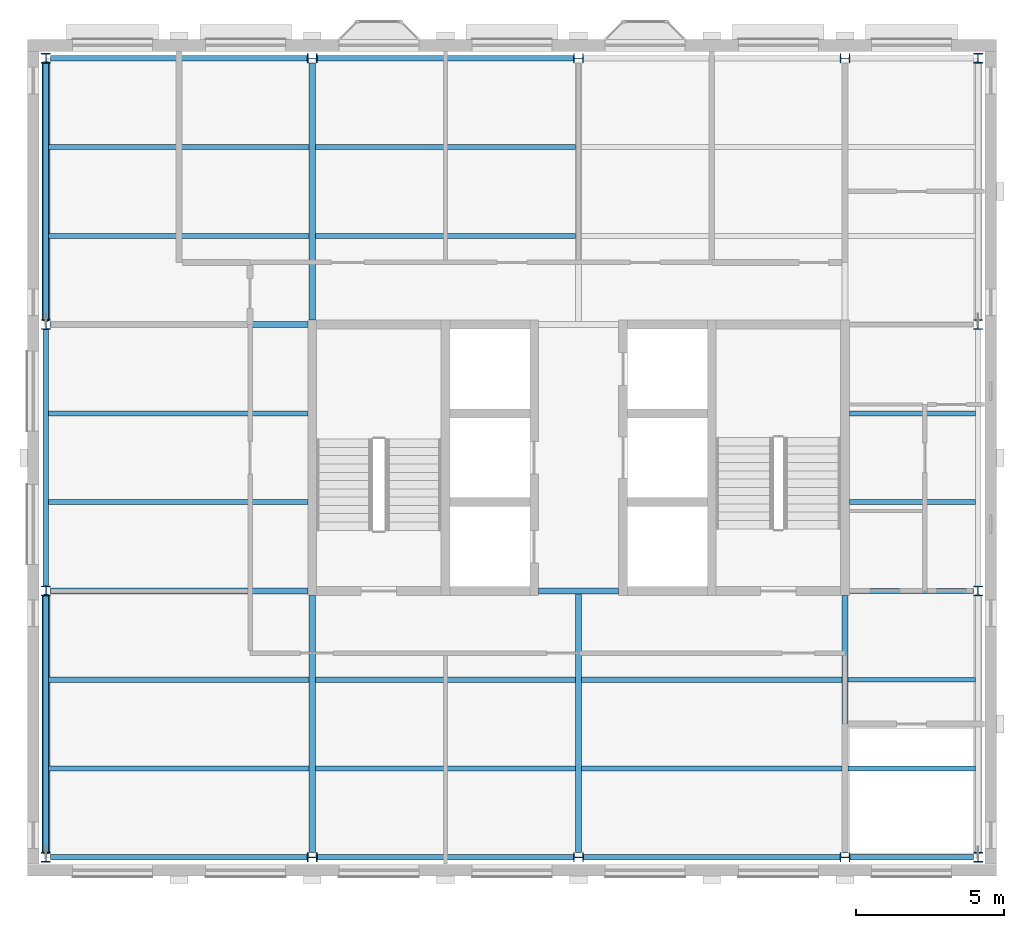
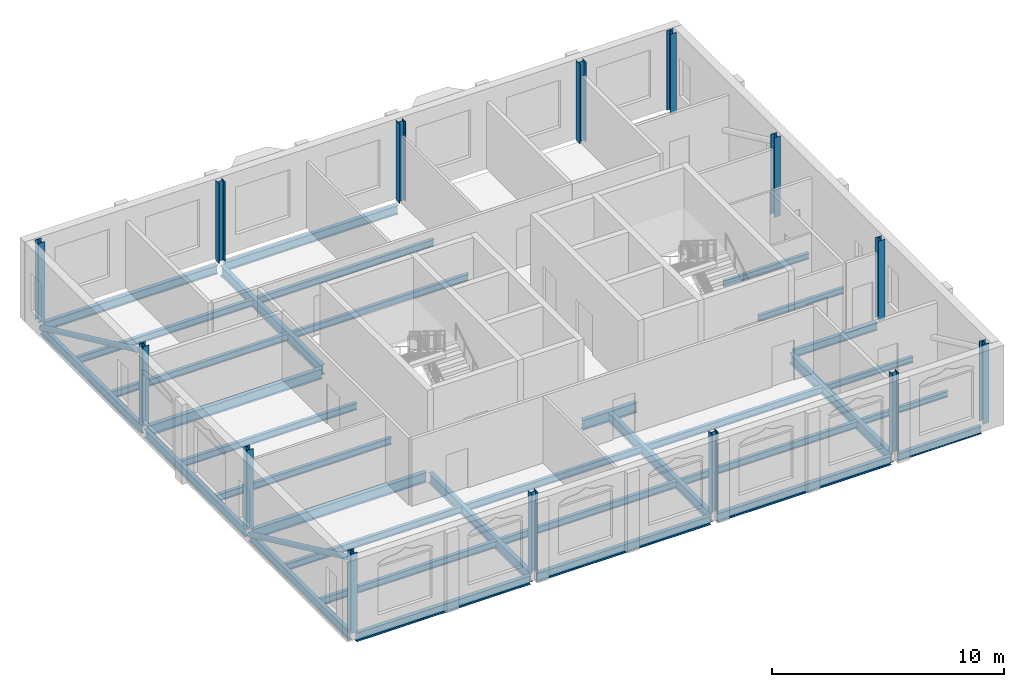
# One storey, part 1 of 9: 33 beams, 14 columns, 2 members.
"""IFC4 building model written with IfcOpenShell, lengths in metres."""

from ifc_helpers import new_model, si_unit, direction, frame, origin, origin_2d, place, context, subcontext, project, spatial, hollow_circle, i_section, extrude, material, material_profile, profile_set, type_object, element, save


model = new_model("IFC4")

# Units and contexts
model_context = context("Model", 3, precision=1e-05, world=origin(), true_north=direction((0.0, 1.0)))
body_context = subcontext(model_context, "Body", "Model", "MODEL_VIEW")
ifc_project = project(units=[si_unit("LENGTHUNIT", "METRE"), si_unit("AREAUNIT", "SQUARE_METRE"), si_unit("VOLUMEUNIT", "CUBIC_METRE"), si_unit("PLANEANGLEUNIT", "RADIAN"), si_unit("MASSUNIT", "GRAM", prefix="KILO")], contexts=[model_context])

# Site, building, storey
site_placement = place(None, origin())
site = spatial("IfcSite", under=ifc_project, at=site_placement, CompositionType="ELEMENT")
building_placement = place(site_placement, origin())
building = spatial("IfcBuilding", under=site, at=building_placement, Name="Hortulan Conservatory and Botanical Research Centre", CompositionType="ELEMENT")
storey_placement = place(building_placement, frame((0.0, 0.0, 36.0)))
storey = spatial("IfcBuildingStorey", under=building, at=storey_placement, Name="L08", CompositionType="ELEMENT", Elevation=36.0)

# Columns
ifc_material_1 = material(Name="Steel Grade 300PLUS (AS/NZS 3679.1, 280 MPa minimum yield)", Category="steel")
ifc_material_profile_1 = material_profile(ifc_material_1, i_section(OverallWidth=0.31103515625, OverallDepth=0.326904296875, WebThickness=0.015625, FlangeThickness=0.02490234375, FilletRadius=0.0166015625, at=origin_2d()), Name="310UC158")
ifc_profile_set_1 = profile_set([ifc_material_profile_1], Name="Steel Grade 300PLUS (AS/NZS 3679.1, 280 MPa minimum yield)")
column_type = type_object("IfcColumnType", Name="Tower Column 310UC158", PredefinedType="COLUMN", material=ifc_profile_set_1)
for number, where, z_axis, x_axis, name in (
    (1, (0.0, 0.0, 0.0), (0.0, 0.0, 1.0), (1.0, 0.0, 0.0), "310UC158 column"),
    (2, (0.0, 9.0, 0.0), (0.0, 0.0, 1.0), (1.0, 0.0, 0.0), "310UC158 column"),
    (3, (0.0, 18.0, 0.0), (0.0, 0.0, 1.0), (1.0, 0.0, 0.0), "310UC158 column"),
    (4, (0.0, 27.0, 0.0), (0.0, 0.0, 1.0), (1.0, 0.0, 0.0), "310UC158 column"),
    (5, (9.0, 0.0, 0.0), (0.0, 0.0, 1.0), (0.0, 1.0, 0.0), "310UC158 column"),
    (6, (9.0, 27.0, 0.0), (0.0, 0.0, 1.0), (0.0, 1.0, 0.0), "310UC158 column"),
    (7, (18.0, 0.0, 0.0), (0.0, 0.0, 1.0), (0.0, 1.0, 0.0), "310UC158 column"),
    (8, (18.0, 27.0, 0.0), (0.0, 0.0, 1.0), (0.0, 1.0, 0.0), "310UC158 column"),
    (9, (27.0, 0.0, 0.0), (0.0, 0.0, 1.0), (0.0, 1.0, 0.0), "310UC158 column"),
    (10, (27.0, 27.0, 0.0), (0.0, 0.0, 1.0), (0.0, 1.0, 0.0), "310UC158 column"),
    (11, (31.5, 0.0, 0.0), (0.0, 0.0, 1.0), (1.0, 0.0, 0.0), "310UC158 column"),
    (12, (31.5, 9.0, 0.0), (0.0, 0.0, 1.0), (1.0, 0.0, 0.0), "310UC158 column"),
    (13, (31.5, 18.0, 0.0), (0.0, 0.0, 1.0), (1.0, 0.0, 0.0), "310UC158 column"),
    (14, (31.5, 27.0, 0.0), (0.0, 0.0, 1.0), (1.0, 0.0, 0.0), "310UC158 column"),
):
    element("IfcColumn", number, at=place(storey_placement, frame(where, z_axis=z_axis, x_axis=x_axis)), inside=storey, type_object=column_type, Name=name, PredefinedType="COLUMN", context=body_context, shape_type="SweptSolid", body=[
        extrude(i_section(OverallWidth=0.31103515625, OverallDepth=0.326904296875, WebThickness=0.015625, FlangeThickness=0.02490234375, FilletRadius=0.0166015625, at=origin_2d()), origin(), (0.0, 0.0, 1.0), 4.199951171875),
    ])

# Members
ifc_material_2 = material(Name="Steel Grade C350L0 (350 MPa, AS/NZS 1163)", Category="steel")
ifc_material_profile_2 = material_profile(ifc_material_2, hollow_circle(Radius=0.136474609375, WallThickness=0.00927734375, at=origin_2d()), Name="273.1x9.3CHS")
ifc_profile_set_2 = profile_set([ifc_material_profile_2], Name="Steel Grade C350L0 (350 MPa, AS/NZS 1163)")
member_type = type_object("IfcMemberType", Name="Brace 273.1x9.3CHS", PredefinedType="BRACE", material=ifc_profile_set_2)
for number, where, z_axis, x_axis, name in (
    (15, (0.0, 8.83642578125, -0.28369140625), (0.0, -0.906181836611, 0.422888258286), (1.0, 0.0, 0.0), "273.1x9.3CHS brace"),
    (16, (0.0, 26.83642578125, -0.28369140625), (0.0, -0.906181836611, 0.422888258286), (1.0, 0.0, 0.0), "273.1x9.3CHS brace"),
):
    element("IfcMember", number, at=place(storey_placement, frame(where, z_axis=z_axis, x_axis=x_axis)), inside=storey, type_object=member_type, Name=name, PredefinedType="BRACE", context=body_context, shape_type="SweptSolid", body=[
        extrude(hollow_circle(Radius=0.136474609375, WallThickness=0.00927734375, at=origin_2d()), origin(), (0.0, 0.0, 1.0), 9.57080078125),
    ])

# Beams
ifc_material_profile_3 = material_profile(ifc_material_1, i_section(OverallWidth=0.177978515625, OverallDepth=0.403076171875, WebThickness=0.007568359375, FlangeThickness=0.010986328125, FilletRadius=0.011474609375, at=origin_2d()), Name="410UB53.7")
ifc_profile_set_3 = profile_set([ifc_material_profile_3], Name="Steel Grade 300PLUS (AS/NZS 3679.1, 280 MPa minimum yield)")
beam_type_1 = type_object("IfcBeamType", Name="Primary Beam 410UB53.7", PredefinedType="BEAM", material=ifc_profile_set_3)
beam_1_placement = place(storey_placement, frame((27.16357421875, 0.0, -0.33154296875), z_axis=(1.0, 0.0, 0.0), x_axis=(0.0, 1.0, 0.0)))
element("IfcBeam", 17, at=beam_1_placement, inside=storey, type_object=beam_type_1, Name="410UB53.7 girder", PredefinedType="BEAM", context=body_context, shape_type="SweptSolid", body=[
    extrude(i_section(OverallWidth=0.177978515625, OverallDepth=0.403076171875, WebThickness=0.007568359375, FlangeThickness=0.010986328125, FilletRadius=0.011474609375, at=origin_2d()), origin(), (0.0, 0.0, 1.0), 4.180908203125),
])
beam_2_placement = place(storey_placement, frame((27.14990234375, 9.0, -0.33154296875), z_axis=(1.0, 0.0, 0.0), x_axis=(0.0, 1.0, 0.0)))
element("IfcBeam", 18, at=beam_2_placement, inside=storey, type_object=beam_type_1, Name="410UB53.7 girder", PredefinedType="BEAM", context=body_context, shape_type="SweptSolid", body=[
    extrude(i_section(OverallWidth=0.177978515625, OverallDepth=0.403076171875, WebThickness=0.007568359375, FlangeThickness=0.010986328125, FilletRadius=0.011474609375, at=origin_2d()), origin(), (0.0, 0.0, 1.0), 4.194580078125),
])
ifc_material_profile_4 = material_profile(ifc_material_1, i_section(OverallWidth=0.19091796875, OverallDepth=0.4599609375, WebThickness=0.010009765625, FlangeThickness=0.01611328125, FilletRadius=0.011474609375, at=origin_2d()), Name="460UB82.1")
ifc_profile_set_4 = profile_set([ifc_material_profile_4], Name="Steel Grade 300PLUS (AS/NZS 3679.1, 280 MPa minimum yield)")
beam_type_2 = type_object("IfcBeamType", Name="Primary Beam 460UB82.1", PredefinedType="BEAM", material=ifc_profile_set_4)
beam_3_placement = place(storey_placement, frame((0.0, 0.16357421875, -0.360107421875), z_axis=(0.0, 1.0, 0.0), x_axis=(-1.0, 0.0, 0.0)))
element("IfcBeam", 19, at=beam_3_placement, inside=storey, type_object=beam_type_2, Name="460UB82.1 girder", PredefinedType="BEAM", context=body_context, shape_type="SweptSolid", body=[
    extrude(i_section(OverallWidth=0.19091796875, OverallDepth=0.4599609375, WebThickness=0.010009765625, FlangeThickness=0.01611328125, FilletRadius=0.011474609375, at=origin_2d()), origin(), (0.0, 0.0, 1.0), 8.6728515625),
])
beam_4_placement = place(storey_placement, frame((0.155517578125, 0.0, -0.360107421875), z_axis=(1.0, 0.0, 0.0), x_axis=(0.0, 1.0, 0.0)))
element("IfcBeam", 20, at=beam_4_placement, inside=storey, type_object=beam_type_2, Name="460UB82.1 girder", PredefinedType="BEAM", context=body_context, shape_type="SweptSolid", body=[
    extrude(i_section(OverallWidth=0.19091796875, OverallDepth=0.4599609375, WebThickness=0.010009765625, FlangeThickness=0.01611328125, FilletRadius=0.011474609375, at=origin_2d()), origin(), (0.0, 0.0, 1.0), 8.680908203125),
])
for number, where, z_axis, x_axis, name in (
    (21, (0.0, 9.16357421875, -0.360107421875), (0.0, 1.0, 0.0), (-1.0, 0.0, 0.0), "460UB82.1 girder"),
    (22, (0.0, 18.16357421875, -0.360107421875), (0.0, 1.0, 0.0), (-1.0, 0.0, 0.0), "460UB82.1 girder"),
):
    element("IfcBeam", number, at=place(storey_placement, frame(where, z_axis=z_axis, x_axis=x_axis)), inside=storey, type_object=beam_type_2, Name=name, PredefinedType="BEAM", context=body_context, shape_type="SweptSolid", body=[
        extrude(i_section(OverallWidth=0.19091796875, OverallDepth=0.4599609375, WebThickness=0.010009765625, FlangeThickness=0.01611328125, FilletRadius=0.011474609375, at=origin_2d()), origin(), (0.0, 0.0, 1.0), 8.6728515625),
    ])
beam_5_placement = place(storey_placement, frame((0.155517578125, 27.0, -0.360107421875), z_axis=(1.0, 0.0, 0.0), x_axis=(0.0, 1.0, 0.0)))
element("IfcBeam", 23, at=beam_5_placement, inside=storey, type_object=beam_type_2, Name="460UB82.1 girder", PredefinedType="BEAM", context=body_context, shape_type="SweptSolid", body=[
    extrude(i_section(OverallWidth=0.19091796875, OverallDepth=0.4599609375, WebThickness=0.010009765625, FlangeThickness=0.01611328125, FilletRadius=0.011474609375, at=origin_2d()), origin(), (0.0, 0.0, 1.0), 8.680908203125),
])
for number, where, z_axis, x_axis, name in (
    (24, (9.16357421875, 0.0, -0.360107421875), (1.0, 0.0, 0.0), (0.0, 1.0, 0.0), "460UB82.1 girder"),
    (25, (9.16357421875, 27.0, -0.360107421875), (1.0, 0.0, 0.0), (0.0, 1.0, 0.0), "460UB82.1 girder"),
    (26, (18.16357421875, 0.0, -0.360107421875), (1.0, 0.0, 0.0), (0.0, 1.0, 0.0), "460UB82.1 girder"),
):
    element("IfcBeam", number, at=place(storey_placement, frame(where, z_axis=z_axis, x_axis=x_axis)), inside=storey, type_object=beam_type_2, Name=name, PredefinedType="BEAM", context=body_context, shape_type="SweptSolid", body=[
        extrude(i_section(OverallWidth=0.19091796875, OverallDepth=0.4599609375, WebThickness=0.010009765625, FlangeThickness=0.01611328125, FilletRadius=0.011474609375, at=origin_2d()), origin(), (0.0, 0.0, 1.0), 8.6728515625),
    ])
ifc_material_profile_5 = material_profile(ifc_material_1, i_section(OverallWidth=0.208984375, OverallDepth=0.532958984375, WebThickness=0.01025390625, FlangeThickness=0.015625, FilletRadius=0.013916015625, at=origin_2d()), Name="530UB92.4")
ifc_profile_set_5 = profile_set([ifc_material_profile_5], Name="Steel Grade 300PLUS (AS/NZS 3679.1, 280 MPa minimum yield)")
beam_type_3 = type_object("IfcBeamType", Name="Primary Beam 530UB92.4", PredefinedType="BEAM", material=ifc_profile_set_5)
for number, where, z_axis, x_axis, name in (
    (27, (0.155517578125, 9.0, -0.396484375), (1.0, 0.0, 0.0), (0.0, 1.0, 0.0), "530UB92.4 girder"),
    (28, (0.155517578125, 18.0, -0.396484375), (1.0, 0.0, 0.0), (0.0, 1.0, 0.0), "530UB92.4 girder"),
    (29, (9.0, 0.155517578125, -0.396484375), (0.0, 1.0, 0.0), (-1.0, 0.0, 0.0), "530UB92.4 girder"),
    (30, (9.0, 18.14990234375, -0.396484375), (0.0, 1.0, 0.0), (-1.0, 0.0, 0.0), "530UB92.4 girder"),
):
    element("IfcBeam", number, at=place(storey_placement, frame(where, z_axis=z_axis, x_axis=x_axis)), inside=storey, type_object=beam_type_3, Name=name, PredefinedType="BEAM", context=body_context, shape_type="SweptSolid", body=[
        extrude(i_section(OverallWidth=0.208984375, OverallDepth=0.532958984375, WebThickness=0.01025390625, FlangeThickness=0.015625, FilletRadius=0.013916015625, at=origin_2d()), origin(), (0.0, 0.0, 1.0), 8.694580078125),
    ])
beam_6_placement = place(storey_placement, frame((16.64990234375, 9.0, -0.396484375), z_axis=(1.0, 0.0, 0.0), x_axis=(0.0, 1.0, 0.0)))
element("IfcBeam", 31, at=beam_6_placement, inside=storey, type_object=beam_type_3, Name="530UB92.4 girder", PredefinedType="BEAM", context=body_context, shape_type="SweptSolid", body=[
    extrude(i_section(OverallWidth=0.208984375, OverallDepth=0.532958984375, WebThickness=0.01025390625, FlangeThickness=0.015625, FilletRadius=0.013916015625, at=origin_2d()), origin(), (0.0, 0.0, 1.0), 2.7001953125),
])
beam_7_placement = place(storey_placement, frame((18.0, 0.155517578125, -0.396484375), z_axis=(0.0, 1.0, 0.0), x_axis=(-1.0, 0.0, 0.0)))
element("IfcBeam", 32, at=beam_7_placement, inside=storey, type_object=beam_type_3, Name="530UB92.4 girder", PredefinedType="BEAM", context=body_context, shape_type="SweptSolid", body=[
    extrude(i_section(OverallWidth=0.208984375, OverallDepth=0.532958984375, WebThickness=0.01025390625, FlangeThickness=0.015625, FilletRadius=0.013916015625, at=origin_2d()), origin(), (0.0, 0.0, 1.0), 8.844482421875),
])
beam_8_placement = place(storey_placement, frame((27.0, 0.155517578125, -0.396484375), z_axis=(0.0, 1.0, 0.0), x_axis=(-1.0, 0.0, 0.0)))
element("IfcBeam", 33, at=beam_8_placement, inside=storey, type_object=beam_type_3, Name="530UB92.4 girder", PredefinedType="BEAM", context=body_context, shape_type="SweptSolid", body=[
    extrude(i_section(OverallWidth=0.208984375, OverallDepth=0.532958984375, WebThickness=0.01025390625, FlangeThickness=0.015625, FilletRadius=0.013916015625, at=origin_2d()), origin(), (0.0, 0.0, 1.0), 8.694580078125),
])
ifc_material_profile_6 = material_profile(ifc_material_1, i_section(OverallWidth=0.1650390625, OverallDepth=0.303955078125, WebThickness=0.006103515625, FlangeThickness=0.01025390625, FilletRadius=0.011474609375, at=origin_2d()), Name="310UB40.4")
ifc_profile_set_6 = profile_set([ifc_material_profile_6], Name="Steel Grade 300PLUS (AS/NZS 3679.1, 280 MPa minimum yield)")
beam_type_4 = type_object("IfcBeamType", Name="Secondary Beam 310UB40.4", PredefinedType="JOIST", material=ifc_profile_set_6)
for number, where, z_axis, x_axis, name in (
    (34, (27.1044921875, 3.0, -0.281982421875), (1.0, 0.0, 0.0), (0.0, 1.0, 0.0), "310UB40.4 secondary beam"),
    (35, (27.1044921875, 6.0, -0.281982421875), (1.0, 0.0, 0.0), (0.0, 1.0, 0.0), "310UB40.4 secondary beam"),
):
    element("IfcBeam", number, at=place(storey_placement, frame(where, z_axis=z_axis, x_axis=x_axis)), inside=storey, type_object=beam_type_4, Name=name, PredefinedType="JOIST", context=body_context, shape_type="SweptSolid", body=[
        extrude(i_section(OverallWidth=0.1650390625, OverallDepth=0.303955078125, WebThickness=0.006103515625, FlangeThickness=0.01025390625, FilletRadius=0.011474609375, at=origin_2d()), origin(), (0.0, 0.0, 1.0), 4.300048828125),
    ])
for number, where, z_axis, x_axis, name in (
    (36, (27.14990234375, 12.0, -0.281982421875), (1.0, 0.0, 0.0), (0.0, 1.0, 0.0), "310UB40.4 secondary beam"),
    (37, (27.14990234375, 15.0, -0.281982421875), (1.0, 0.0, 0.0), (0.0, 1.0, 0.0), "310UB40.4 secondary beam"),
):
    element("IfcBeam", number, at=place(storey_placement, frame(where, z_axis=z_axis, x_axis=x_axis)), inside=storey, type_object=beam_type_4, Name=name, PredefinedType="JOIST", context=body_context, shape_type="SweptSolid", body=[
        extrude(i_section(OverallWidth=0.1650390625, OverallDepth=0.303955078125, WebThickness=0.006103515625, FlangeThickness=0.01025390625, FilletRadius=0.011474609375, at=origin_2d()), origin(), (0.0, 0.0, 1.0), 4.254638671875),
    ])
ifc_material_profile_7 = material_profile(ifc_material_1, i_section(OverallWidth=0.172119140625, OverallDepth=0.35888671875, WebThickness=0.008056640625, FlangeThickness=0.012939453125, FilletRadius=0.011474609375, at=origin_2d()), Name="360UB56.7")
ifc_profile_set_7 = profile_set([ifc_material_profile_7], Name="Steel Grade 300PLUS (AS/NZS 3679.1, 280 MPa minimum yield)")
beam_type_5 = type_object("IfcBeamType", Name="Secondary Beam 360UB56.7", PredefinedType="JOIST", material=ifc_profile_set_7)
for number, where, z_axis, x_axis, name in (
    (38, (0.095458984375, 3.0, -0.3095703125), (1.0, 0.0, 0.0), (0.0, 1.0, 0.0), "360UB56.7 secondary beam"),
    (39, (0.095458984375, 6.0, -0.3095703125), (1.0, 0.0, 0.0), (0.0, 1.0, 0.0), "360UB56.7 secondary beam"),
):
    element("IfcBeam", number, at=place(storey_placement, frame(where, z_axis=z_axis, x_axis=x_axis)), inside=storey, type_object=beam_type_5, Name=name, PredefinedType="JOIST", context=body_context, shape_type="SweptSolid", body=[
        extrude(i_section(OverallWidth=0.172119140625, OverallDepth=0.35888671875, WebThickness=0.008056640625, FlangeThickness=0.012939453125, FilletRadius=0.011474609375, at=origin_2d()), origin(), (0.0, 0.0, 1.0), 8.800048828125),
    ])
for number, where, z_axis, x_axis, name in (
    (40, (0.095458984375, 12.0, -0.3095703125), (1.0, 0.0, 0.0), (0.0, 1.0, 0.0), "360UB56.7 secondary beam"),
    (41, (0.095458984375, 15.0, -0.3095703125), (1.0, 0.0, 0.0), (0.0, 1.0, 0.0), "360UB56.7 secondary beam"),
):
    element("IfcBeam", number, at=place(storey_placement, frame(where, z_axis=z_axis, x_axis=x_axis)), inside=storey, type_object=beam_type_5, Name=name, PredefinedType="JOIST", context=body_context, shape_type="SweptSolid", body=[
        extrude(i_section(OverallWidth=0.172119140625, OverallDepth=0.35888671875, WebThickness=0.008056640625, FlangeThickness=0.012939453125, FilletRadius=0.011474609375, at=origin_2d()), origin(), (0.0, 0.0, 1.0), 8.754638671875),
    ])
for number, where, z_axis, x_axis, name in (
    (42, (0.095458984375, 21.0, -0.3095703125), (1.0, 0.0, 0.0), (0.0, 1.0, 0.0), "360UB56.7 secondary beam"),
    (43, (0.095458984375, 24.0, -0.3095703125), (1.0, 0.0, 0.0), (0.0, 1.0, 0.0), "360UB56.7 secondary beam"),
):
    element("IfcBeam", number, at=place(storey_placement, frame(where, z_axis=z_axis, x_axis=x_axis)), inside=storey, type_object=beam_type_5, Name=name, PredefinedType="JOIST", context=body_context, shape_type="SweptSolid", body=[
        extrude(i_section(OverallWidth=0.172119140625, OverallDepth=0.35888671875, WebThickness=0.008056640625, FlangeThickness=0.012939453125, FilletRadius=0.011474609375, at=origin_2d()), origin(), (0.0, 0.0, 1.0), 8.800048828125),
    ])
for number, where, z_axis, x_axis, name in (
    (44, (9.1044921875, 3.0, -0.3095703125), (1.0, 0.0, 0.0), (0.0, 1.0, 0.0), "360UB56.7 secondary beam"),
    (45, (9.1044921875, 6.0, -0.3095703125), (1.0, 0.0, 0.0), (0.0, 1.0, 0.0), "360UB56.7 secondary beam"),
    (46, (9.1044921875, 21.0, -0.3095703125), (1.0, 0.0, 0.0), (0.0, 1.0, 0.0), "360UB56.7 secondary beam"),
    (47, (9.1044921875, 24.0, -0.3095703125), (1.0, 0.0, 0.0), (0.0, 1.0, 0.0), "360UB56.7 secondary beam"),
    (48, (18.1044921875, 3.0, -0.3095703125), (1.0, 0.0, 0.0), (0.0, 1.0, 0.0), "360UB56.7 secondary beam"),
    (49, (18.1044921875, 6.0, -0.3095703125), (1.0, 0.0, 0.0), (0.0, 1.0, 0.0), "360UB56.7 secondary beam"),
):
    element("IfcBeam", number, at=place(storey_placement, frame(where, z_axis=z_axis, x_axis=x_axis)), inside=storey, type_object=beam_type_5, Name=name, PredefinedType="JOIST", context=body_context, shape_type="SweptSolid", body=[
        extrude(i_section(OverallWidth=0.172119140625, OverallDepth=0.35888671875, WebThickness=0.008056640625, FlangeThickness=0.012939453125, FilletRadius=0.011474609375, at=origin_2d()), origin(), (0.0, 0.0, 1.0), 8.791015625),
    ])

save(model, "model.ifc")
